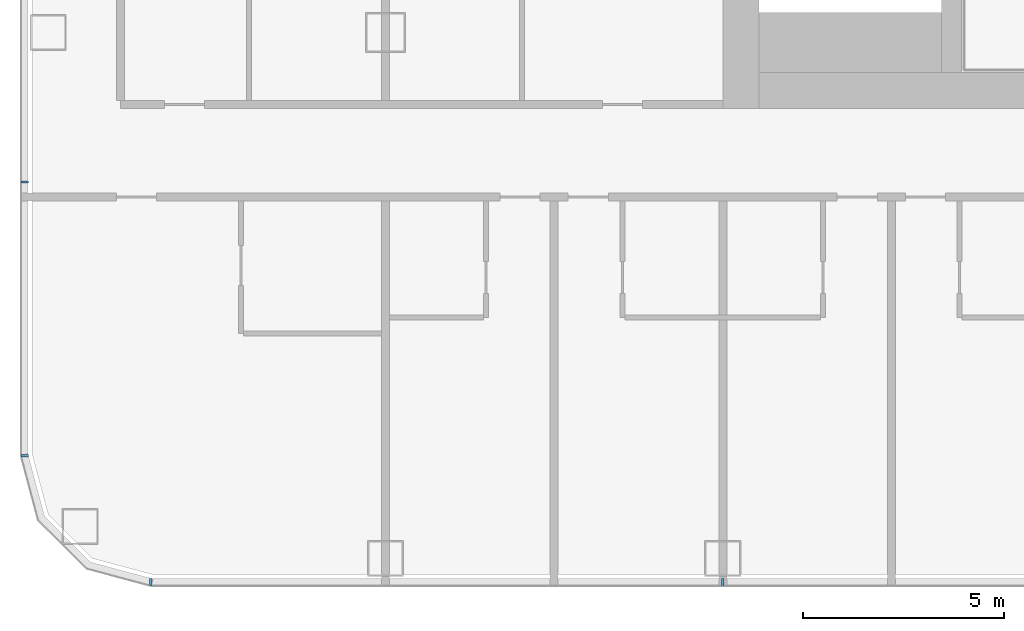
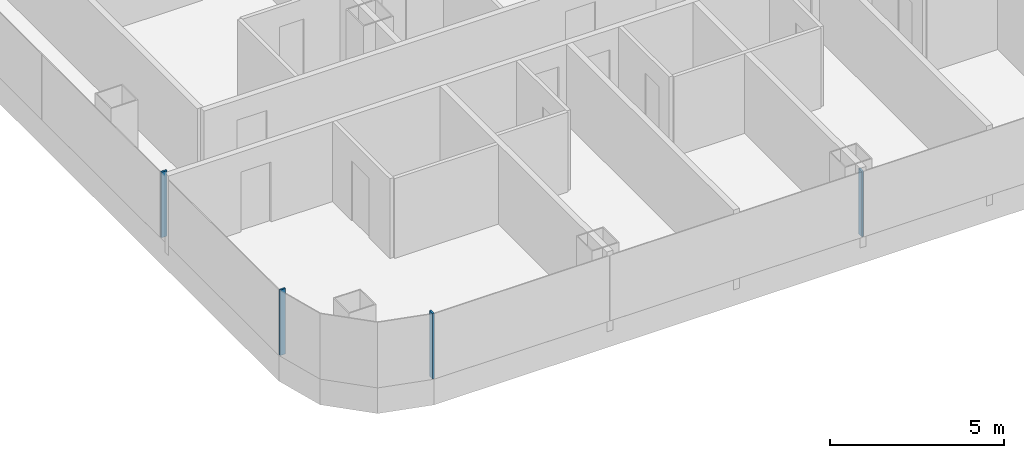
# One storey, part 2 of 29: 4 members, 2 elements without a shape of their own.
"""IFC4 building model written with IfcOpenShell, lengths in metres."""

from ifc_helpers import new_model, si_unit, direction, frame, origin, origin_2d, place, context, subcontext, project, spatial, rectangle, extrude, material, layer, layer_set, material_profile, profile_set, type_object, element, aggregate, save


model = new_model("IFC4")

# Units and contexts
model_context = context("Model", 3, precision=1e-05, world=origin(), true_north=direction((0.0, 1.0)))
body_context = subcontext(model_context, "Body", "Model", "MODEL_VIEW")
ifc_project = project(units=[si_unit("LENGTHUNIT", "METRE"), si_unit("AREAUNIT", "SQUARE_METRE"), si_unit("VOLUMEUNIT", "CUBIC_METRE"), si_unit("PLANEANGLEUNIT", "RADIAN"), si_unit("MASSUNIT", "GRAM", prefix="KILO")], contexts=[model_context])

# Site, building, storey
site_placement = place(None, origin())
site = spatial("IfcSite", under=ifc_project, at=site_placement, CompositionType="ELEMENT")
building_placement = place(site_placement, origin())
building = spatial("IfcBuilding", under=site, at=building_placement, Name="Hakoniwa Tower and Hamabe Station Hall", CompositionType="ELEMENT")
storey_placement = place(building_placement, frame((0.0, 0.0, 23.0)))
storey = spatial("IfcBuildingStorey", under=building, at=storey_placement, Name="L05", CompositionType="ELEMENT", Elevation=23.0)

# Curtain wall, members
ifc_material_1 = material(Name="Dark low-e laminated glass", Category="glass")
ifc_layer = layer(ifc_material_1, 0.199951171875)
ifc_layer_set = layer_set([ifc_layer], Name="CW-1 UNITISED GUEST")
curtain_wall_type = type_object("IfcCurtainWallType", Name="CW-1 UNITISED GUEST", PredefinedType="NOTDEFINED", material=ifc_layer_set)
curtain_wall_1_placement = place(storey_placement, origin())
curtain_wall_1 = element("IfcCurtainWall", 1, at=curtain_wall_1_placement, inside=storey, type_object=curtain_wall_type, Name="CW-1 curtain wall", PredefinedType="NOTDEFINED")
ifc_material_2 = material(Name="Aluminium 6063-T5 black anodised", Category="aluminium")
ifc_material_profile = material_profile(ifc_material_2, rectangle(XDim=0.06005859375, YDim=0.179931640625, at=origin_2d()), Name="CW-1 MULLION 60X180")
ifc_profile_set = profile_set([ifc_material_profile], Name="Aluminium 6063-T5 black anodised")
member_type = type_object("IfcMemberType", Name="CW-1 MULLION 60X180", PredefinedType="MULLION", material=ifc_profile_set)
member_1_placement = place(storey_placement, frame((-50.98193359375, -10.2236328125, 0.35009765625), z_axis=(0.0, 0.0, 1.0), x_axis=(0.0, -1.0, 0.0)))
member_1 = element("IfcMember", 2, at=member_1_placement, type_object=member_type, Name="CW-1 mullion", PredefinedType="MULLION", context=body_context, shape_type="SweptSolid", body=[
    extrude(rectangle(XDim=0.06005859375, YDim=0.179931640625, at=origin_2d()), origin(), (0.0, 0.0, 1.0), 2.2998046875),
])
member_2_placement = place(storey_placement, frame((-50.98193359375, -17.03955078125, 0.35009765625), z_axis=(0.0, 0.0, 1.0), x_axis=(0.0, -1.0, 0.0)))
member_2 = element("IfcMember", 3, at=member_2_placement, type_object=member_type, Name="CW-1 mullion", PredefinedType="MULLION", context=body_context, shape_type="SweptSolid", body=[
    extrude(rectangle(XDim=0.06005859375, YDim=0.179931640625, at=origin_2d()), origin(), (0.0, 0.0, 1.0), 2.2998046875),
])
aggregate(curtain_wall_1, [member_1, member_2])

curtain_wall_2_placement = place(storey_placement, origin())
curtain_wall_2 = element("IfcCurtainWall", 4, at=curtain_wall_2_placement, inside=storey, type_object=curtain_wall_type, Name="CW-1 curtain wall", PredefinedType="NOTDEFINED")
member_3_placement = place(storey_placement, frame((-47.839599609375, -20.181884765625, 0.35009765625), z_axis=(0.0, 0.0, 1.0), x_axis=(1.0, 0.0, 0.0)))
member_3 = element("IfcMember", 5, at=member_3_placement, type_object=member_type, Name="CW-1 mullion", PredefinedType="MULLION", context=body_context, shape_type="SweptSolid", body=[
    extrude(rectangle(XDim=0.06005859375, YDim=0.179931640625, at=origin_2d()), origin(), (0.0, 0.0, 1.0), 2.2998046875),
])
member_4_placement = place(storey_placement, frame((-33.60009765625, -20.181884765625, 0.35009765625), z_axis=(0.0, 0.0, 1.0), x_axis=(1.0, 0.0, 0.0)))
member_4 = element("IfcMember", 6, at=member_4_placement, type_object=member_type, Name="CW-1 mullion", PredefinedType="MULLION", context=body_context, shape_type="SweptSolid", body=[
    extrude(rectangle(XDim=0.06005859375, YDim=0.179931640625, at=origin_2d()), origin(), (0.0, 0.0, 1.0), 2.2998046875),
])
aggregate(curtain_wall_2, [member_3, member_4])

save(model, "model.ifc")
